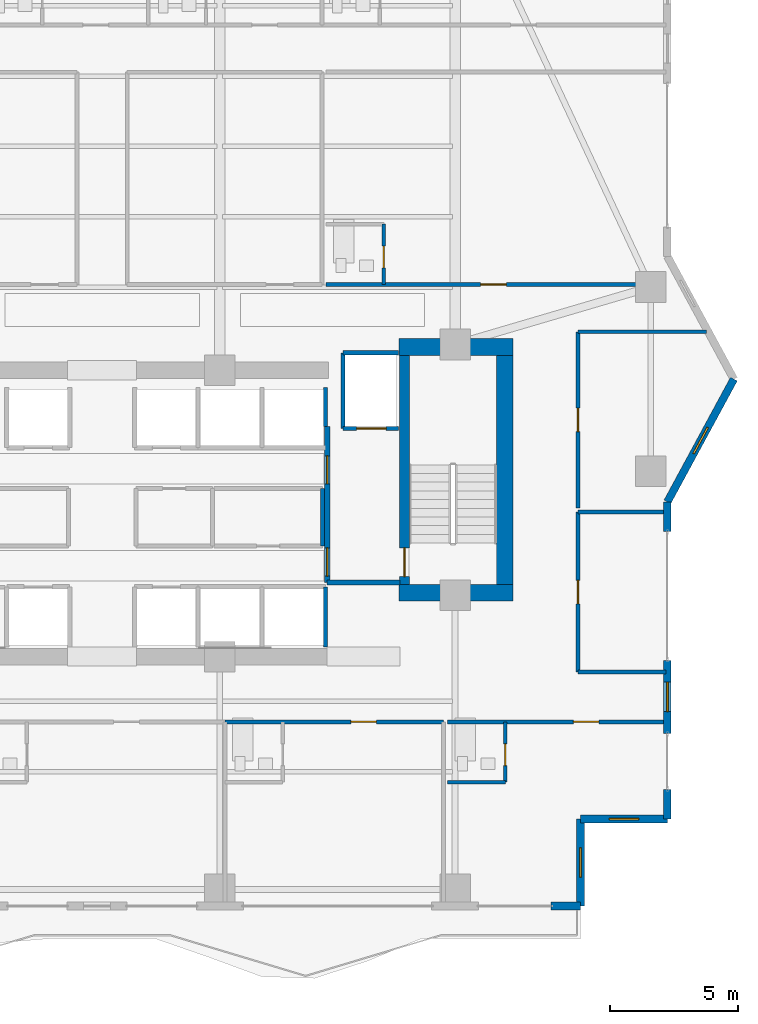
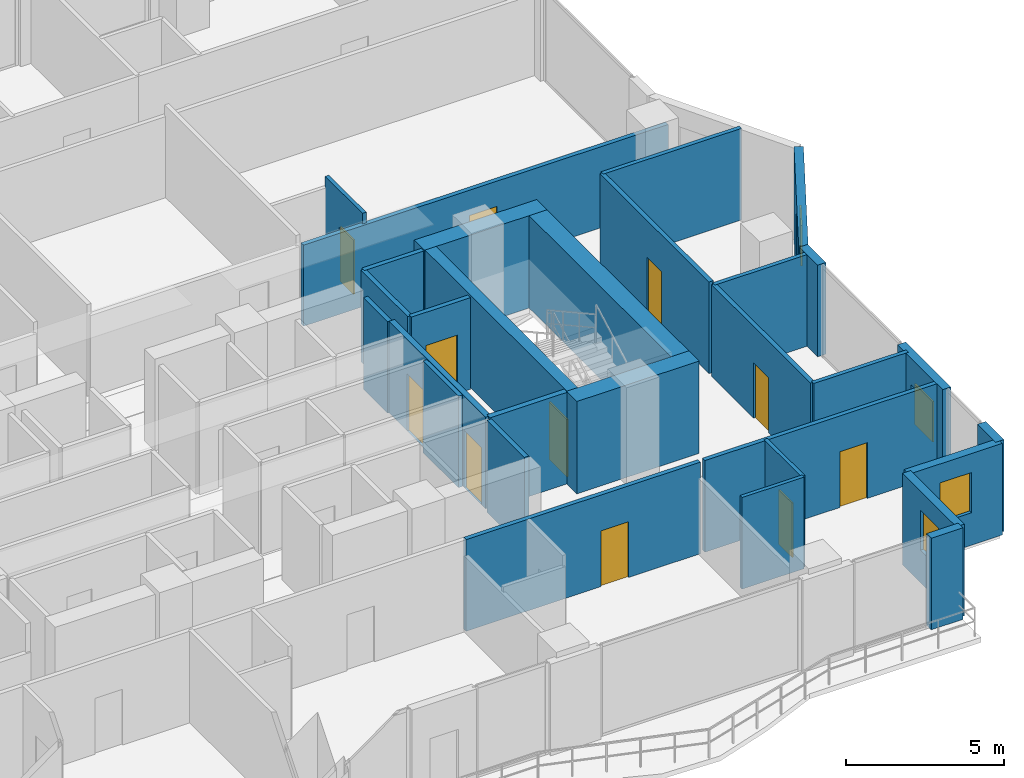
# One storey, part 26 of 32: 30 walls, 11 doors, 4 windows, 15 openings.
"""IFC4 building model written with IfcOpenShell, lengths in metres."""

from ifc_helpers import new_model, si_unit, direction, frame, frame_2d, origin, place, context, subcontext, project, spatial, rectangle, extrude, material, layer, layer_set, type_object, element, fill, save


model = new_model("IFC4")

# Units and contexts
model_context = context("Model", 3, precision=1e-05, world=origin(), true_north=direction((0.0, 1.0)))
body_context = subcontext(model_context, "Body", "Model", "MODEL_VIEW")
ifc_project = project(units=[si_unit("LENGTHUNIT", "METRE"), si_unit("AREAUNIT", "SQUARE_METRE"), si_unit("VOLUMEUNIT", "CUBIC_METRE"), si_unit("PLANEANGLEUNIT", "RADIAN"), si_unit("MASSUNIT", "GRAM", prefix="KILO")], contexts=[model_context])

# Site, building, storey
site_placement = place(None, origin())
site = spatial("IfcSite", under=ifc_project, at=site_placement, CompositionType="ELEMENT")
building_placement = place(site_placement, origin())
building = spatial("IfcBuilding", under=site, at=building_placement, Name="Zuhayl Quay Hotel", CompositionType="ELEMENT")
storey_placement = place(building_placement, frame((0.0, 0.0, 184.89990234375)))
storey = spatial("IfcBuildingStorey", under=building, at=storey_placement, Name="L46", CompositionType="ELEMENT", Elevation=184.89990234375)

# Walls
ifc_material_1 = material(Name="Concrete C50/60", Category="concrete")
ifc_layer_1 = layer(ifc_material_1, 0.64990234375, Name="Concrete C50/60", Category="concrete")
ifc_layer_set_1 = layer_set([ifc_layer_1], Name="Concrete C50/60")
wall_type_1 = type_object("IfcWallType", Name="WL_CORE_650", PredefinedType="SHEAR", material=ifc_layer_set_1)
wall_1_placement = place(storey_placement, frame((11.60009765625, 14.2548828125, 0.0), z_axis=(0.0, 0.0, 1.0), x_axis=(1.0, 0.0, 0.0)))
element("IfcWall", 1, at=wall_1_placement, inside=storey, type_object=wall_type_1, Name="L46 Core Shear Wall CW_NE", PredefinedType="SHEAR", context=body_context, shape_type="SweptSolid", body=[
    extrude(rectangle(XDim=4.4599609375, YDim=0.64990234375, at=frame_2d((2.22998046875, 0.0))), origin(), (0.0, 0.0, 1.0), 3.56005859375),
])
wall_2_placement = place(storey_placement, frame((15.735107421875, 4.969970703125, 0.0), z_axis=(0.0, 0.0, 1.0), x_axis=(0.0, 1.0, 0.0)))
element("IfcWall", 2, at=wall_2_placement, inside=storey, type_object=wall_type_1, Name="L46 Core Shear Wall CW_E", PredefinedType="SHEAR", context=body_context, shape_type="SweptSolid", body=[
    extrude(rectangle(XDim=8.9599609375, YDim=0.64990234375, at=frame_2d((4.47998046875, 0.0))), origin(), (0.0, 0.0, 1.0), 3.56005859375),
])
wall_3_placement = place(storey_placement, frame((11.60009765625, 4.64501953125, 0.0), z_axis=(0.0, 0.0, 1.0), x_axis=(1.0, 0.0, 0.0)))
element("IfcWall", 3, at=wall_3_placement, inside=storey, type_object=wall_type_1, Name="L46 Core Shear Wall CW_SE", PredefinedType="SHEAR", context=body_context, shape_type="SweptSolid", body=[
    extrude(rectangle(XDim=4.4599609375, YDim=0.64990234375, at=frame_2d((2.22998046875, 0.0))), origin(), (0.0, 0.0, 1.0), 3.56005859375),
])

# Wall, opening, window
ifc_material_2 = material(Name="Precast concrete C45/55", Category="concrete")
ifc_layer_2 = layer(ifc_material_2, 0.300048828125, Name="Precast concrete C45/55", Category="concrete")
ifc_layer_set_2 = layer_set([ifc_layer_2], Name="Precast concrete C45/55")
wall_type_2 = type_object("IfcWallType", Name="WL_EXT_300", PredefinedType="STANDARD", material=ifc_layer_set_2)
wall_4_placement = place(storey_placement, frame((24.699951171875, 13.0, 0.0), z_axis=(0.0, 0.0, 1.0), x_axis=(-0.476258655584, -0.879305233114, 0.0)))
wall_4 = element("IfcWall", 4, at=wall_4_placement, inside=storey, type_object=wall_type_2, Name="L46 Exterior Precast Wall ENV_L46_EW13", PredefinedType="STANDARD", context=body_context, shape_type="SweptSolid", body=[
    extrude(rectangle(XDim=5.458984375, YDim=0.300048828125, at=frame_2d((2.7294921875, 0.0))), origin(), (0.0, 0.0, 1.0), 3.530029296875),
])
opening_1_placement = place(wall_4_placement, frame((2.154541015625, 0.0, 1.25)))
opening_1 = element("IfcOpeningElement", 5, at=opening_1_placement, cuts=wall_4, Name="Opening W01N", PredefinedType="OPENING", context=body_context, shape_type="SweptSolid", body=[
    extrude(rectangle(XDim=1.14990234375, YDim=1.550048828125, at=frame_2d((0.574951171875, 0.77490234375))), frame((0.0, 0.159912109375, 0.0), z_axis=(0.0, -1.0, 0.0), x_axis=(1.0, 0.0, 0.0)), (0.0, 0.0, 1.0), 0.320068359375),
])
ifc_material_3 = material(Name="Dark Ceramic-Fritted Solar Glass", Category="glass")
window_type = type_object("IfcWindowType", Name="WN_NOTCH_1350", PartitioningType="SINGLE_PANEL", PredefinedType="WINDOW", material=ifc_material_3)
window_1_placement = place(opening_1_placement, origin())
window_1 = element("IfcWindow", 6, at=window_1_placement, inside=storey, type_object=window_type, Name="L46 Corner Notch Window 13", OverallHeight=1.550048828125, OverallWidth=1.14990234375, PartitioningType="SINGLE_PANEL", PredefinedType="WINDOW", context=body_context, shape_type="SweptSolid", body=[
    extrude(rectangle(XDim=1.14990234375, YDim=1.550048828125, at=frame_2d((0.574951171875, 0.77490234375))), frame((0.0, 0.030029296875, 0.0), z_axis=(0.0, -1.0, 0.0), x_axis=(1.0, 0.0, 0.0)), (0.0, 0.0, 1.0), 0.06005859375),
])
fill(opening_1, window_1)

# Wall
wall_5_placement = place(storey_placement, frame((22.10009765625, 8.199951171875, 0.0), z_axis=(0.0, 0.0, 1.0), x_axis=(0.0, -1.0, 0.0)))
element("IfcWall", 7, at=wall_5_placement, inside=storey, type_object=wall_type_2, Name="L46 Exterior Precast Wall ENV_L46_E14_EW1", PredefinedType="STANDARD", context=body_context, shape_type="SweptSolid", body=[
    extrude(rectangle(XDim=1.14990234375, YDim=0.300048828125, at=frame_2d((0.574951171875, 0.0))), origin(), (0.0, 0.0, 1.0), 3.530029296875),
])

# Wall, opening, window
wall_6_placement = place(storey_placement, frame((22.10009765625, 2.0, 0.0), z_axis=(0.0, 0.0, 1.0), x_axis=(0.0, -1.0, 0.0)))
wall_6 = element("IfcWall", 8, at=wall_6_placement, inside=storey, type_object=wall_type_2, Name="L46 Exterior Precast Wall ENV_L46_E14_EW2", PredefinedType="STANDARD", context=body_context, shape_type="SweptSolid", body=[
    extrude(rectangle(XDim=2.85009765625, YDim=0.300048828125, at=frame_2d((1.425048828125, 0.0))), origin(), (0.0, 0.0, 1.0), 3.530029296875),
])
opening_2_placement = place(wall_6_placement, frame((0.85009765625, 0.0, 0.949951171875)))
opening_2 = element("IfcOpeningElement", 9, at=opening_2_placement, cuts=wall_6, Name="Opening W01N", PredefinedType="OPENING", context=body_context, shape_type="SweptSolid", body=[
    extrude(rectangle(XDim=1.14990234375, YDim=1.550048828125, at=frame_2d((0.574951171875, 0.77490234375))), frame((0.0, 0.159912109375, 0.0), z_axis=(0.0, -1.0, 0.0), x_axis=(1.0, 0.0, 0.0)), (0.0, 0.0, 1.0), 0.320068359375),
])
window_2_placement = place(opening_2_placement, origin())
window_2 = element("IfcWindow", 10, at=window_2_placement, inside=storey, type_object=window_type, Name="L46 Operable Facade Window 2-1", OverallHeight=1.550048828125, OverallWidth=1.14990234375, PartitioningType="SINGLE_PANEL", PredefinedType="WINDOW", context=body_context, shape_type="SweptSolid", body=[
    extrude(rectangle(XDim=1.14990234375, YDim=1.550048828125, at=frame_2d((0.574951171875, 0.77490234375))), frame((0.0, 0.030029296875, 0.0), z_axis=(0.0, -1.0, 0.0), x_axis=(1.0, 0.0, 0.0)), (0.0, 0.0, 1.0), 0.06005859375),
])
fill(opening_2, window_2)

# Wall
wall_7_placement = place(storey_placement, frame((22.10009765625, -3.050048828125, 0.0), z_axis=(0.0, 0.0, 1.0), x_axis=(0.0, -1.0, 0.0)))
element("IfcWall", 11, at=wall_7_placement, inside=storey, type_object=wall_type_2, Name="L46 Exterior Precast Wall ENV_L46_E14_EW3", PredefinedType="STANDARD", context=body_context, shape_type="SweptSolid", body=[
    extrude(rectangle(XDim=1.14990234375, YDim=0.300048828125, at=frame_2d((0.574951171875, 0.0))), origin(), (0.0, 0.0, 1.0), 3.530029296875),
])

# Wall, opening, window
wall_8_placement = place(storey_placement, frame((22.10009765625, -4.199951171875, 0.0), z_axis=(0.0, 0.0, 1.0), x_axis=(-1.0, 0.0, 0.0)))
wall_8 = element("IfcWall", 12, at=wall_8_placement, inside=storey, type_object=wall_type_2, Name="L46 Exterior Precast Wall ENV_L46_EW15", PredefinedType="STANDARD", context=body_context, shape_type="SweptSolid", body=[
    extrude(rectangle(XDim=3.400146484375, YDim=0.300048828125, at=frame_2d((1.7001953125, 0.0))), origin(), (0.0, 0.0, 1.0), 3.530029296875),
])
opening_3_placement = place(wall_8_placement, frame((1.125, 0.0, 1.25)))
opening_3 = element("IfcOpeningElement", 13, at=opening_3_placement, cuts=wall_8, Name="Opening W01N", PredefinedType="OPENING", context=body_context, shape_type="SweptSolid", body=[
    extrude(rectangle(XDim=1.14990234375, YDim=1.550048828125, at=frame_2d((0.574951171875, 0.77490234375))), frame((0.0, 0.159912109375, 0.0), z_axis=(0.0, -1.0, 0.0), x_axis=(1.0, 0.0, 0.0)), (0.0, 0.0, 1.0), 0.320068359375),
])
window_3_placement = place(opening_3_placement, origin())
window_3 = element("IfcWindow", 14, at=window_3_placement, inside=storey, type_object=window_type, Name="L46 Corner Notch Window 15", OverallHeight=1.550048828125, OverallWidth=1.14990234375, PartitioningType="SINGLE_PANEL", PredefinedType="WINDOW", context=body_context, shape_type="SweptSolid", body=[
    extrude(rectangle(XDim=1.14990234375, YDim=1.550048828125, at=frame_2d((0.574951171875, 0.77490234375))), frame((0.0, 0.030029296875, 0.0), z_axis=(0.0, -1.0, 0.0), x_axis=(1.0, 0.0, 0.0)), (0.0, 0.0, 1.0), 0.06005859375),
])
fill(opening_3, window_3)

wall_9_placement = place(storey_placement, frame((18.699951171875, -4.199951171875, 0.0), z_axis=(0.0, 0.0, 1.0), x_axis=(0.0, -1.0, 0.0)))
wall_9 = element("IfcWall", 15, at=wall_9_placement, inside=storey, type_object=wall_type_2, Name="L46 Exterior Precast Wall ENV_L46_EW16", PredefinedType="STANDARD", context=body_context, shape_type="SweptSolid", body=[
    extrude(rectangle(XDim=3.400146484375, YDim=0.300048828125, at=frame_2d((1.7001953125, 0.0))), origin(), (0.0, 0.0, 1.0), 3.530029296875),
])
opening_4_placement = place(wall_9_placement, frame((1.125, 0.0, 1.25)))
opening_4 = element("IfcOpeningElement", 16, at=opening_4_placement, cuts=wall_9, Name="Opening W01N", PredefinedType="OPENING", context=body_context, shape_type="SweptSolid", body=[
    extrude(rectangle(XDim=1.14990234375, YDim=1.550048828125, at=frame_2d((0.574951171875, 0.77490234375))), frame((0.0, 0.159912109375, 0.0), z_axis=(0.0, -1.0, 0.0), x_axis=(1.0, 0.0, 0.0)), (0.0, 0.0, 1.0), 0.320068359375),
])
window_4_placement = place(opening_4_placement, origin())
window_4 = element("IfcWindow", 17, at=window_4_placement, inside=storey, type_object=window_type, Name="L46 Corner Notch Window 16", OverallHeight=1.550048828125, OverallWidth=1.14990234375, PartitioningType="SINGLE_PANEL", PredefinedType="WINDOW", context=body_context, shape_type="SweptSolid", body=[
    extrude(rectangle(XDim=1.14990234375, YDim=1.550048828125, at=frame_2d((0.574951171875, 0.77490234375))), frame((0.0, 0.030029296875, 0.0), z_axis=(0.0, -1.0, 0.0), x_axis=(1.0, 0.0, 0.0)), (0.0, 0.0, 1.0), 0.06005859375),
])
fill(opening_4, window_4)

# Walls
wall_10_placement = place(storey_placement, frame((18.699951171875, -7.60009765625, 0.0), z_axis=(0.0, 0.0, 1.0), x_axis=(-1.0, 0.0, 0.0)))
element("IfcWall", 18, at=wall_10_placement, inside=storey, type_object=wall_type_2, Name="L46 Exterior Precast Wall ENV_L46_S_EW1", PredefinedType="STANDARD", context=body_context, shape_type="SweptSolid", body=[
    extrude(rectangle(XDim=1.14990234375, YDim=0.300048828125, at=frame_2d((0.574951171875, 0.0))), origin(), (0.0, 0.0, 1.0), 3.530029296875),
])
ifc_material_4 = material(Name="Acoustic Gypsum Partition STC-58")
ifc_layer_3 = layer(ifc_material_4, 0.14990234375, Name="Acoustic Gypsum Partition STC-58")
ifc_layer_set_3 = layer_set([ifc_layer_3], Name="Acoustic Gypsum Partition STC-58")
wall_type_3 = type_object("IfcWallType", Name="WL_PART_150", PredefinedType="PARTITIONING", material=ifc_layer_set_3)
wall_11_placement = place(storey_placement, frame((8.610107421875, 6.47998046875, 0.0), z_axis=(0.0, 0.0, 1.0), x_axis=(0.0, 1.0, 0.0)))
element("IfcWall", 19, at=wall_11_placement, inside=storey, type_object=wall_type_3, Name="L46 Partition IW_L46_CORE_LN_E", PredefinedType="PARTITIONING", context=body_context, shape_type="SweptSolid", body=[
    extrude(rectangle(XDim=2.239990234375, YDim=0.14990234375, at=frame_2d((1.1201171875, 0.0))), origin(), (0.0, 0.0, 1.0), 3.530029296875),
])
for number, where, z_axis, x_axis, name in (
    (20, (18.60009765625, 1.550048828125, 0.0), (0.0, 0.0, 1.0), (1.0, 0.0, 0.0), "L46 Partition IW_L46_HK_MAIN_S"),
    (21, (18.60009765625, 7.800048828125, 0.0), (0.0, 0.0, 1.0), (1.0, 0.0, 0.0), "L46 Partition IW_L46_HK_MAIN_N"),
):
    element("IfcWall", number, at=place(storey_placement, frame(where, z_axis=z_axis, x_axis=x_axis)), inside=storey, type_object=wall_type_3, Name=name, PredefinedType="PARTITIONING", context=body_context, shape_type="SweptSolid", body=[
        extrude(rectangle(XDim=3.43994140625, YDim=0.14990234375, at=frame_2d((1.719970703125, 0.0))), origin(), (0.0, 0.0, 1.0), 3.530029296875),
    ])
wall_12_placement = place(storey_placement, frame((18.60009765625, 14.85009765625, 0.0), z_axis=(0.0, 0.0, 1.0), x_axis=(1.0, 0.0, 0.0)))
element("IfcWall", 22, at=wall_12_placement, inside=storey, type_object=wall_type_3, Name="L46 Partition IW_L46_EFLK_2_N", PredefinedType="PARTITIONING", context=body_context, shape_type="SweptSolid", body=[
    extrude(rectangle(XDim=5.037841796875, YDim=0.14990234375, at=frame_2d((2.51904296875, 0.0))), origin(), (0.0, 0.0, 1.0), 3.530029296875),
])

# Wall, opening, door
ifc_layer_4 = layer(ifc_material_4, 0.159912109375, Name="Acoustic Gypsum Partition STC-58")
ifc_layer_set_4 = layer_set([ifc_layer_4], Name="Acoustic Gypsum Partition STC-58")
wall_type_4 = type_object("IfcWallType", Name="WL_PART_CORR_160", PredefinedType="PARTITIONING", material=ifc_layer_set_4)
wall_13_placement = place(storey_placement, frame((8.75, 16.699951171875, 0.0), z_axis=(0.0, 0.0, 1.0), x_axis=(1.0, 0.0, 0.0)))
wall_13 = element("IfcWall", 23, at=wall_13_placement, inside=storey, type_object=wall_type_4, Name="L46 Partition IW_L46_MU01_COR", PredefinedType="PARTITIONING", context=body_context, shape_type="SweptSolid", body=[
    extrude(rectangle(XDim=13.2900390625, YDim=0.159912109375, at=frame_2d((6.64501953125, 0.0))), origin(), (0.0, 0.0, 1.0), 3.1240234375),
])
opening_5_placement = place(wall_13_placement, frame((6.050048828125, 0.0, 0.0)))
opening_5 = element("IfcOpeningElement", 24, at=opening_5_placement, cuts=wall_13, Name="Opening D03L", PredefinedType="OPENING", context=body_context, shape_type="SweptSolid", body=[
    extrude(rectangle(XDim=1.0, YDim=2.14990234375, at=frame_2d((0.5, 1.074951171875))), frame((0.0, 0.08984375, 0.0), z_axis=(0.0, -1.0, 0.0), x_axis=(1.0, 0.0, 0.0)), (0.0, 0.0, 1.0), 0.179931640625),
])
ifc_material_5 = material(Name="Solid Walnut Acoustic Fire Door")
door_type_1 = type_object("IfcDoorType", Name="DR_SUITE_1000", OperationType="NOTDEFINED", PredefinedType="DOOR", material=ifc_material_5)
door_1_placement = place(opening_5_placement, origin())
door_1 = element("IfcDoor", 25, at=door_1_placement, inside=storey, type_object=door_type_1, Name="L46 Club Corner Suite L46-M1 Entrance Door", OperationType="SINGLE_SWING_RIGHT", OverallHeight=2.14990234375, OverallWidth=1.0, PredefinedType="DOOR", context=body_context, shape_type="SweptSolid", body=[
    extrude(rectangle(XDim=1.0, YDim=2.14990234375, at=frame_2d((0.5, 1.074951171875))), frame((0.0, 0.02490234375, 0.0), z_axis=(0.0, -1.0, 0.0), x_axis=(1.0, 0.0, 0.0)), (0.0, 0.0, 1.0), 0.050048828125),
])
fill(opening_5, door_1)

wall_14_placement = place(storey_placement, frame((4.800048828125, -0.39990234375, 0.0), z_axis=(0.0, 0.0, 1.0), x_axis=(1.0, 0.0, 0.0)))
wall_14 = element("IfcWall", 26, at=wall_14_placement, inside=storey, type_object=wall_type_4, Name="L46 Partition IW_L46_SU03A_COR", PredefinedType="PARTITIONING", context=body_context, shape_type="SweptSolid", body=[
    extrude(rectangle(XDim=8.5400390625, YDim=0.159912109375, at=frame_2d((4.27001953125, 0.0))), origin(), (0.0, 0.0, 1.0), 3.530029296875),
])
opening_6_placement = place(wall_14_placement, frame((4.919921875, 0.0, 0.0)))
opening_6 = element("IfcOpeningElement", 27, at=opening_6_placement, cuts=wall_14, Name="Opening D03L", PredefinedType="OPENING", context=body_context, shape_type="SweptSolid", body=[
    extrude(rectangle(XDim=1.0, YDim=2.14990234375, at=frame_2d((0.5, 1.074951171875))), frame((0.0, 0.08984375, 0.0), z_axis=(0.0, -1.0, 0.0), x_axis=(1.0, 0.0, 0.0)), (0.0, 0.0, 1.0), 0.179931640625),
])
door_2_placement = place(opening_6_placement, origin())
door_2 = element("IfcDoor", 28, at=door_2_placement, inside=storey, type_object=door_type_1, Name="L46 City-View Junior Suite L46-03A Entrance Door", OperationType="SINGLE_SWING_RIGHT", OverallHeight=2.14990234375, OverallWidth=1.0, PredefinedType="DOOR", context=body_context, shape_type="SweptSolid", body=[
    extrude(rectangle(XDim=1.0, YDim=2.14990234375, at=frame_2d((0.5, 1.074951171875))), frame((0.0, 0.02490234375, 0.0), z_axis=(0.0, -1.0, 0.0), x_axis=(1.0, 0.0, 0.0)), (0.0, 0.0, 1.0), 0.050048828125),
])
fill(opening_6, door_2)

wall_15_placement = place(storey_placement, frame((13.5, -0.39990234375, 0.0), z_axis=(0.0, 0.0, 1.0), x_axis=(1.0, 0.0, 0.0)))
wall_15 = element("IfcWall", 29, at=wall_15_placement, inside=storey, type_object=wall_type_4, Name="L46 Partition IW_L46_SU03B_COR", PredefinedType="PARTITIONING", context=body_context, shape_type="SweptSolid", body=[
    extrude(rectangle(XDim=8.5400390625, YDim=0.159912109375, at=frame_2d((4.27001953125, 0.0))), origin(), (0.0, 0.0, 1.0), 3.530029296875),
])
opening_7_placement = place(wall_15_placement, frame((4.919921875, 0.0, 0.0)))
opening_7 = element("IfcOpeningElement", 30, at=opening_7_placement, cuts=wall_15, Name="Opening D03L", PredefinedType="OPENING", context=body_context, shape_type="SweptSolid", body=[
    extrude(rectangle(XDim=1.0, YDim=2.14990234375, at=frame_2d((0.5, 1.074951171875))), frame((0.0, 0.08984375, 0.0), z_axis=(0.0, -1.0, 0.0), x_axis=(1.0, 0.0, 0.0)), (0.0, 0.0, 1.0), 0.179931640625),
])
door_3_placement = place(opening_7_placement, origin())
door_3 = element("IfcDoor", 31, at=door_3_placement, inside=storey, type_object=door_type_1, Name="L46 City-View Junior Suite L46-03B Entrance Door", OperationType="SINGLE_SWING_RIGHT", OverallHeight=2.14990234375, OverallWidth=1.0, PredefinedType="DOOR", context=body_context, shape_type="SweptSolid", body=[
    extrude(rectangle(XDim=1.0, YDim=2.14990234375, at=frame_2d((0.5, 1.074951171875))), frame((0.0, 0.02490234375, 0.0), z_axis=(0.0, -1.0, 0.0), x_axis=(1.0, 0.0, 0.0)), (0.0, 0.0, 1.0), 0.050048828125),
])
fill(opening_7, door_3)

wall_16_placement = place(storey_placement, frame((18.60009765625, 1.550048828125, 0.0), z_axis=(0.0, 0.0, 1.0), x_axis=(0.0, 1.0, 0.0)))
wall_16 = element("IfcWall", 32, at=wall_16_placement, inside=storey, type_object=wall_type_4, Name="L46 Partition IW_L46_HK_MAIN_W", PredefinedType="PARTITIONING", context=body_context, shape_type="SweptSolid", body=[
    extrude(rectangle(XDim=6.25, YDim=0.159912109375, at=frame_2d((3.125, 0.0))), origin(), (0.0, 0.0, 1.0), 3.530029296875),
])
opening_8_placement = place(wall_16_placement, frame((2.6650390625, 0.0, 0.0)))
opening_8 = element("IfcOpeningElement", 33, at=opening_8_placement, cuts=wall_16, Name="Opening D05", PredefinedType="OPENING", context=body_context, shape_type="SweptSolid", body=[
    extrude(rectangle(XDim=0.919921875, YDim=2.1201171875, at=frame_2d((0.4599609375, 1.06005859375))), frame((0.0, 0.08984375, 0.0), z_axis=(0.0, -1.0, 0.0), x_axis=(1.0, 0.0, 0.0)), (0.0, 0.0, 1.0), 0.179931640625),
])
door_type_2 = type_object("IfcDoorType", Name="DR_INT_950", OperationType="NOTDEFINED", PredefinedType="DOOR", material=ifc_material_5)
door_4_placement = place(opening_8_placement, origin())
door_4 = element("IfcDoor", 34, at=door_4_placement, inside=storey, type_object=door_type_2, Name="L46 Housekeeping and Linen Room Door", OperationType="SINGLE_SWING_LEFT", OverallHeight=2.1201171875, OverallWidth=0.919921875, PredefinedType="DOOR", context=body_context, shape_type="SweptSolid", body=[
    extrude(rectangle(XDim=0.919921875, YDim=2.1201171875, at=frame_2d((0.4599609375, 1.06005859375))), frame((0.0, 0.02490234375, 0.0), z_axis=(0.0, -1.0, 0.0), x_axis=(1.0, 0.0, 0.0)), (0.0, 0.0, 1.0), 0.050048828125),
])
fill(opening_8, door_4)

wall_17_placement = place(storey_placement, frame((18.60009765625, 7.9599609375, 0.0), z_axis=(0.0, 0.0, 1.0), x_axis=(0.0, 1.0, 0.0)))
wall_17 = element("IfcWall", 35, at=wall_17_placement, inside=storey, type_object=wall_type_4, Name="L46 Partition IW_L46_EFLK_2_W", PredefinedType="PARTITIONING", context=body_context, shape_type="SweptSolid", body=[
    extrude(rectangle(XDim=6.89013671875, YDim=0.159912109375, at=frame_2d((3.445068359375, 0.0))), origin(), (0.0, 0.0, 1.0), 3.530029296875),
])
opening_9_placement = place(wall_17_placement, frame((2.985107421875, 0.0, 0.0)))
opening_9 = element("IfcOpeningElement", 36, at=opening_9_placement, cuts=wall_17, Name="Opening D05", PredefinedType="OPENING", context=body_context, shape_type="SweptSolid", body=[
    extrude(rectangle(XDim=0.919921875, YDim=2.1201171875, at=frame_2d((0.4599609375, 1.06005859375))), frame((0.0, 0.08984375, 0.0), z_axis=(0.0, -1.0, 0.0), x_axis=(1.0, 0.0, 0.0)), (0.0, 0.0, 1.0), 0.179931640625),
])
door_5_placement = place(opening_9_placement, origin())
door_5 = element("IfcDoor", 37, at=door_5_placement, inside=storey, type_object=door_type_2, Name="L46 Floor Beverage and Ice Pantry Door", OperationType="SINGLE_SWING_RIGHT", OverallHeight=2.1201171875, OverallWidth=0.919921875, PredefinedType="DOOR", context=body_context, shape_type="SweptSolid", body=[
    extrude(rectangle(XDim=0.919921875, YDim=2.1201171875, at=frame_2d((0.4599609375, 1.06005859375))), frame((0.0, 0.02490234375, 0.0), z_axis=(0.0, -1.0, 0.0), x_axis=(1.0, 0.0, 0.0)), (0.0, 0.0, 1.0), 0.050048828125),
])
fill(opening_9, door_5)

ifc_material_6 = material(Name="Moisture-Resistant Sanitarychase Gypsum")
ifc_layer_5 = layer(ifc_material_6, 0.135009765625, Name="Moisture-Resistant Sanitarychase Gypsum")
ifc_layer_set_5 = layer_set([ifc_layer_5], Name="Moisture-Resistant Sanitarychase Gypsum")
wall_type_5 = type_object("IfcWallType", Name="WL_PART_PLUMB_150", PredefinedType="PLUMBINGWALL", material=ifc_layer_set_5)
wall_18_placement = place(storey_placement, frame((11.010009765625, 16.699951171875, 0.0), z_axis=(0.0, 0.0, 1.0), x_axis=(0.0, 1.0, 0.0)))
wall_18 = element("IfcWall", 38, at=wall_18_placement, inside=storey, type_object=wall_type_5, Name="L46 Partition IW_L46_MU01_BE", PredefinedType="PLUMBINGWALL", context=body_context, shape_type="SweptSolid", body=[
    extrude(rectangle(XDim=2.360107421875, YDim=0.135009765625, at=frame_2d((1.18017578125, 0.0))), origin(), (0.0, 0.0, 1.0), 3.530029296875),
])
opening_10_placement = place(wall_18_placement, frame((0.64990234375, 0.0, 0.0)))
opening_10 = element("IfcOpeningElement", 39, at=opening_10_placement, cuts=wall_18, Name="Opening D04", PredefinedType="OPENING", context=body_context, shape_type="SweptSolid", body=[
    extrude(rectangle(XDim=0.85009765625, YDim=2.10009765625, at=frame_2d((0.425048828125, 1.050048828125))), frame((0.0, 0.077392578125, 0.0), z_axis=(0.0, -1.0, 0.0), x_axis=(1.0, 0.0, 0.0)), (0.0, 0.0, 1.0), 0.155029296875),
])
ifc_material_7 = material(Name="Moisture-Resistant Walnut Veneer")
door_type_3 = type_object("IfcDoorType", Name="DR_BATH_850", OperationType="NOTDEFINED", PredefinedType="DOOR", material=ifc_material_7)
door_6_placement = place(opening_10_placement, origin())
door_6 = element("IfcDoor", 40, at=door_6_placement, inside=storey, type_object=door_type_3, Name="L46 Club Corner Suite L46-M1 En-Suite Door", OperationType="SINGLE_SWING_LEFT", OverallHeight=2.10009765625, OverallWidth=0.85009765625, PredefinedType="DOOR", context=body_context, shape_type="SweptSolid", body=[
    extrude(rectangle(XDim=0.85009765625, YDim=2.10009765625, at=frame_2d((0.425048828125, 1.050048828125))), frame((0.0, 0.02490234375, 0.0), z_axis=(0.0, -1.0, 0.0), x_axis=(1.0, 0.0, 0.0)), (0.0, 0.0, 1.0), 0.050048828125),
])
fill(opening_10, door_6)

wall_19_placement = place(storey_placement, frame((15.760009765625, -2.760009765625, 0.0), z_axis=(0.0, 0.0, 1.0), x_axis=(0.0, 1.0, 0.0)))
wall_19 = element("IfcWall", 41, at=wall_19_placement, inside=storey, type_object=wall_type_5, Name="L46 Partition IW_L46_SU03B_BE", PredefinedType="PLUMBINGWALL", context=body_context, shape_type="SweptSolid", body=[
    extrude(rectangle(XDim=2.360107421875, YDim=0.135009765625, at=frame_2d((1.18017578125, 0.0))), origin(), (0.0, 0.0, 1.0), 3.530029296875),
])
opening_11_placement = place(wall_19_placement, frame((0.64990234375, 0.0, 0.0)))
opening_11 = element("IfcOpeningElement", 42, at=opening_11_placement, cuts=wall_19, Name="Opening D04", PredefinedType="OPENING", context=body_context, shape_type="SweptSolid", body=[
    extrude(rectangle(XDim=0.85009765625, YDim=2.10009765625, at=frame_2d((0.425048828125, 1.050048828125))), frame((0.0, 0.077392578125, 0.0), z_axis=(0.0, -1.0, 0.0), x_axis=(1.0, 0.0, 0.0)), (0.0, 0.0, 1.0), 0.155029296875),
])
door_7_placement = place(opening_11_placement, origin())
door_7 = element("IfcDoor", 43, at=door_7_placement, inside=storey, type_object=door_type_3, Name="L46 City-View Junior Suite L46-03B En-Suite Door", OperationType="SINGLE_SWING_LEFT", OverallHeight=2.10009765625, OverallWidth=0.85009765625, PredefinedType="DOOR", context=body_context, shape_type="SweptSolid", body=[
    extrude(rectangle(XDim=0.85009765625, YDim=2.10009765625, at=frame_2d((0.425048828125, 1.050048828125))), frame((0.0, 0.02490234375, 0.0), z_axis=(0.0, -1.0, 0.0), x_axis=(1.0, 0.0, 0.0)), (0.0, 0.0, 1.0), 0.050048828125),
])
fill(opening_11, door_7)

# Wall
wall_20_placement = place(storey_placement, frame((13.5, -2.760009765625, 0.0), z_axis=(0.0, 0.0, 1.0), x_axis=(1.0, 0.0, 0.0)))
element("IfcWall", 44, at=wall_20_placement, inside=storey, type_object=wall_type_5, Name="L46 Partition IW_L46_SU03B_BS", PredefinedType="PLUMBINGWALL", context=body_context, shape_type="SweptSolid", body=[
    extrude(rectangle(XDim=2.260009765625, YDim=0.135009765625, at=frame_2d((1.1298828125, 0.0))), origin(), (0.0, 0.0, 1.0), 3.530029296875),
])

# Wall, opening, door
ifc_material_8 = material(Name="Gypsum Fireboard Assembly EI-90")
ifc_layer_6 = layer(ifc_material_8, 0.1650390625, Name="Gypsum Fireboard Assembly EI-90")
ifc_layer_set_6 = layer_set([ifc_layer_6], Name="Gypsum Fireboard Assembly EI-90")
wall_type_6 = type_object("IfcWallType", Name="WL_PART_SHAFT_160", PredefinedType="PARTITIONING", material=ifc_layer_set_6)
wall_21_placement = place(storey_placement, frame((9.419921875, 11.070068359375, 0.0), z_axis=(0.0, 0.0, 1.0), x_axis=(1.0, 0.0, 0.0)))
wall_21 = element("IfcWall", 45, at=wall_21_placement, inside=storey, type_object=wall_type_6, Name="L46 Partition IW_L46_SH_FL2_F", PredefinedType="PARTITIONING", context=body_context, shape_type="SweptSolid", body=[
    extrude(rectangle(XDim=2.16015625, YDim=0.1650390625, at=frame_2d((1.080078125, 0.0))), origin(), (0.0, 0.0, 1.0), 3.530029296875),
])
opening_12_placement = place(wall_21_placement, frame((0.530029296875, 0.0, 0.0)))
opening_12 = element("IfcOpeningElement", 46, at=opening_12_placement, cuts=wall_21, Name="Opening LD2", PredefinedType="OPENING", context=body_context, shape_type="SweptSolid", body=[
    extrude(rectangle(XDim=1.14990234375, YDim=2.25, at=frame_2d((0.574951171875, 1.125))), frame((0.0, 0.092529296875, 0.0), z_axis=(0.0, -1.0, 0.0), x_axis=(1.0, 0.0, 0.0)), (0.0, 0.0, 1.0), 0.18505859375),
])
ifc_material_9 = material(Name="Brushed Stainless Steel", Category="steel")
door_type_4 = type_object("IfcDoorType", Name="DR_LIFT_FF_1100", OperationType="SLIDING_TO_LEFT", PredefinedType="DOOR", material=ifc_material_9)
door_8_placement = place(opening_12_placement, origin())
door_8 = element("IfcDoor", 47, at=door_8_placement, inside=storey, type_object=door_type_4, Name="L46 Lift FL2 Sliding Landing Door", OperationType="SLIDING_TO_LEFT", OverallHeight=2.25, OverallWidth=1.14990234375, PredefinedType="DOOR", context=body_context, shape_type="SweptSolid", body=[
    extrude(rectangle(XDim=1.14990234375, YDim=2.25, at=frame_2d((0.574951171875, 1.125))), frame((0.0, 0.02490234375, 0.0), z_axis=(0.0, -1.0, 0.0), x_axis=(1.0, 0.0, 0.0)), (0.0, 0.0, 1.0), 0.050048828125),
])
fill(opening_12, door_8)

# Walls
wall_22_placement = place(storey_placement, frame((9.419921875, 11.070068359375, 0.0), z_axis=(0.0, 0.0, 1.0), x_axis=(0.0, 1.0, 0.0)))
element("IfcWall", 48, at=wall_22_placement, inside=storey, type_object=wall_type_6, Name="L46 Partition IW_L46_SH_FL2_W", PredefinedType="PARTITIONING", context=body_context, shape_type="SweptSolid", body=[
    extrude(rectangle(XDim=2.9599609375, YDim=0.1650390625, at=frame_2d((1.47998046875, 0.0))), origin(), (0.0, 0.0, 1.0), 3.530029296875),
])
wall_23_placement = place(storey_placement, frame((9.419921875, 14.030029296875, 0.0), z_axis=(0.0, 0.0, 1.0), x_axis=(1.0, 0.0, 0.0)))
element("IfcWall", 49, at=wall_23_placement, inside=storey, type_object=wall_type_6, Name="L46 Partition IW_L46_SH_FL2_B", PredefinedType="PARTITIONING", context=body_context, shape_type="SweptSolid", body=[
    extrude(rectangle(XDim=2.16015625, YDim=0.1650390625, at=frame_2d((1.080078125, 0.0))), origin(), (0.0, 0.0, 1.0), 3.530029296875),
])
wall_24_placement = place(storey_placement, frame((8.72998046875, 2.52001953125, 0.0), z_axis=(0.0, 0.0, 1.0), x_axis=(0.0, 1.0, 0.0)))
element("IfcWall", 50, at=wall_24_placement, inside=storey, type_object=wall_type_6, Name="L46 Partition IW_L46_SH_HP2_E", PredefinedType="PARTITIONING", context=body_context, shape_type="SweptSolid", body=[
    extrude(rectangle(XDim=2.35986328125, YDim=0.1650390625, at=frame_2d((1.179931640625, 0.0))), origin(), (0.0, 0.0, 1.0), 3.530029296875),
])
wall_25_placement = place(storey_placement, frame((8.72998046875, 11.14990234375, 0.0), z_axis=(0.0, 0.0, 1.0), x_axis=(0.0, 1.0, 0.0)))
element("IfcWall", 51, at=wall_25_placement, inside=storey, type_object=wall_type_6, Name="L46 Partition IW_L46_SH_HP4_E", PredefinedType="PARTITIONING", context=body_context, shape_type="SweptSolid", body=[
    extrude(rectangle(XDim=1.530029296875, YDim=0.1650390625, at=frame_2d((0.76513671875, 0.0))), origin(), (0.0, 0.0, 1.0), 3.530029296875),
])

# Wall, openings, doors
ifc_material_10 = material(Name="Gypsum Fireboard Assembly EI-120")
ifc_layer_7 = layer(ifc_material_10, 0.199951171875, Name="Gypsum Fireboard Assembly EI-120")
ifc_layer_set_7 = layer_set([ifc_layer_7], Name="Gypsum Fireboard Assembly EI-120")
wall_type_7 = type_object("IfcWallType", Name="WL_PART_SHAFT_200", PredefinedType="PARTITIONING", material=ifc_layer_set_7)
wall_26_placement = place(storey_placement, frame((8.800048828125, 11.14990234375, 0.0), z_axis=(0.0, 0.0, 1.0), x_axis=(0.0, -1.0, 0.0)))
wall_26 = element("IfcWall", 52, at=wall_26_placement, inside=storey, type_object=wall_type_7, Name="L46 Partition IW_L46_FSAE_E_W", PredefinedType="PARTITIONING", context=body_context, shape_type="SweptSolid", body=[
    extrude(rectangle(XDim=6.099853515625, YDim=0.199951171875, at=frame_2d((3.0498046875, 0.0))), origin(), (0.0, 0.0, 1.0), 3.530029296875),
])
opening_13_placement = place(wall_26_placement, frame((1.14990234375, 0.0, 0.0)))
opening_13 = element("IfcOpeningElement", 53, at=opening_13_placement, cuts=wall_26, Name="Opening D02", PredefinedType="OPENING", context=body_context, shape_type="SweptSolid", body=[
    extrude(rectangle(XDim=1.10009765625, YDim=2.199951171875, at=frame_2d((0.550048828125, 1.10009765625))), frame((0.0, 0.10986328125, 0.0), z_axis=(0.0, -1.0, 0.0), x_axis=(1.0, 0.0, 0.0)), (0.0, 0.0, 1.0), 0.219970703125),
])
opening_14_placement = place(wall_26_placement, frame((4.75, 0.0, 0.0)))
opening_14 = element("IfcOpeningElement", 54, at=opening_14_placement, cuts=wall_26, Name="Opening D02", PredefinedType="OPENING", context=body_context, shape_type="SweptSolid", body=[
    extrude(rectangle(XDim=1.10009765625, YDim=2.199951171875, at=frame_2d((0.550048828125, 1.10009765625))), frame((0.0, 0.10986328125, 0.0), z_axis=(0.0, -1.0, 0.0), x_axis=(1.0, 0.0, 0.0)), (0.0, 0.0, 1.0), 0.219970703125),
])
ifc_material_11 = material(Name="Steel ASTM A992 Grade 50", Category="steel")
door_type_5 = type_object("IfcDoorType", Name="DR_FIRE_90_1100", OperationType="NOTDEFINED", PredefinedType="DOOR", material=ifc_material_11)
door_9_placement = place(opening_13_placement, origin())
door_9 = element("IfcDoor", 55, at=door_9_placement, inside=storey, type_object=door_type_5, Name="L46 FSAE Lobby East North Entry Door", OperationType="SINGLE_SWING_LEFT", OverallHeight=2.199951171875, OverallWidth=1.10009765625, PredefinedType="DOOR", context=body_context, shape_type="SweptSolid", body=[
    extrude(rectangle(XDim=1.10009765625, YDim=2.199951171875, at=frame_2d((0.550048828125, 1.10009765625))), frame((0.0, 0.02490234375, 0.0), z_axis=(0.0, -1.0, 0.0), x_axis=(1.0, 0.0, 0.0)), (0.0, 0.0, 1.0), 0.050048828125),
])
fill(opening_13, door_9)
door_10_placement = place(opening_14_placement, origin())
door_10 = element("IfcDoor", 56, at=door_10_placement, inside=storey, type_object=door_type_5, Name="L46 FSAE Lobby East South Entry Door", OperationType="SINGLE_SWING_RIGHT", OverallHeight=2.199951171875, OverallWidth=1.10009765625, PredefinedType="DOOR", context=body_context, shape_type="SweptSolid", body=[
    extrude(rectangle(XDim=1.10009765625, YDim=2.199951171875, at=frame_2d((0.550048828125, 1.10009765625))), frame((0.0, 0.02490234375, 0.0), z_axis=(0.0, -1.0, 0.0), x_axis=(1.0, 0.0, 0.0)), (0.0, 0.0, 1.0), 0.050048828125),
])
fill(opening_14, door_10)

# Wall
wall_27_placement = place(storey_placement, frame((8.800048828125, 5.050048828125, 0.0), z_axis=(0.0, 0.0, 1.0), x_axis=(1.0, 0.0, 0.0)))
element("IfcWall", 57, at=wall_27_placement, inside=storey, type_object=wall_type_7, Name="L46 Partition IW_L46_FSAE_E_S", PredefinedType="PARTITIONING", context=body_context, shape_type="SweptSolid", body=[
    extrude(rectangle(XDim=2.849853515625, YDim=0.199951171875, at=frame_2d((1.4248046875, 0.0))), origin(), (0.0, 0.0, 1.0), 3.530029296875),
])

# Wall, opening, door
ifc_material_12 = material(Name="Concrete C60/75", Category="concrete")
ifc_layer_8 = layer(ifc_material_12, 0.39990234375, Name="Concrete C60/75", Category="concrete")
ifc_layer_set_8 = layer_set([ifc_layer_8], Name="Concrete C60/75")
wall_type_8 = type_object("IfcWallType", Name="WL_STAIR_400", PredefinedType="SHEAR", material=ifc_layer_set_8)
wall_28_placement = place(storey_placement, frame((11.820068359375, 13.929931640625, 0.0), z_axis=(0.0, 0.0, 1.0), x_axis=(0.0, -1.0, 0.0)))
wall_28 = element("IfcWall", 58, at=wall_28_placement, inside=storey, type_object=wall_type_8, Name="L46 Core Shear Wall SW_ST2", PredefinedType="SHEAR", context=body_context, shape_type="SweptSolid", body=[
    extrude(rectangle(XDim=8.9599609375, YDim=0.39990234375, at=frame_2d((4.47998046875, 0.0))), origin(), (0.0, 0.0, 1.0), 3.56005859375),
])
opening_15_placement = place(wall_28_placement, frame((7.530029296875, 0.0, 0.0)))
opening_15 = element("IfcOpeningElement", 59, at=opening_15_placement, cuts=wall_28, Name="Opening D01", PredefinedType="OPENING", context=body_context, shape_type="SweptSolid", body=[
    extrude(rectangle(XDim=1.1201171875, YDim=2.219970703125, at=frame_2d((0.56005859375, 1.10986328125))), frame((0.0, 0.2099609375, 0.0), z_axis=(0.0, -1.0, 0.0), x_axis=(1.0, 0.0, 0.0)), (0.0, 0.0, 1.0), 0.419921875),
])
door_type_6 = type_object("IfcDoorType", Name="DR_STAIR_90_1100", OperationType="NOTDEFINED", PredefinedType="DOOR", material=ifc_material_11)
door_11_placement = place(opening_15_placement, origin())
door_11 = element("IfcDoor", 60, at=door_11_placement, inside=storey, type_object=door_type_6, Name="L46 Smokeproof Exit Stair ST2 Door", OperationType="SINGLE_SWING_RIGHT", OverallHeight=2.219970703125, OverallWidth=1.1201171875, PredefinedType="DOOR", context=body_context, shape_type="SweptSolid", body=[
    extrude(rectangle(XDim=1.1201171875, YDim=2.219970703125, at=frame_2d((0.56005859375, 1.10986328125))), frame((0.0, 0.02490234375, 0.0), z_axis=(0.0, -1.0, 0.0), x_axis=(1.0, 0.0, 0.0)), (0.0, 0.0, 1.0), 0.050048828125),
])
fill(opening_15, door_11)

save(model, "model.ifc")
